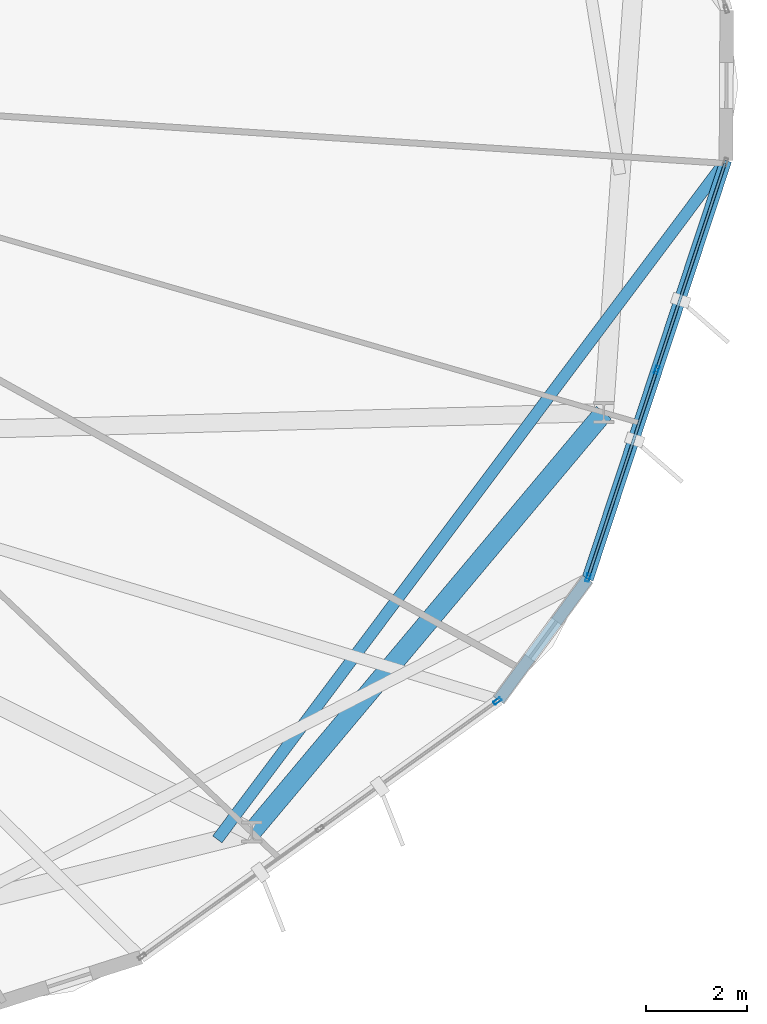
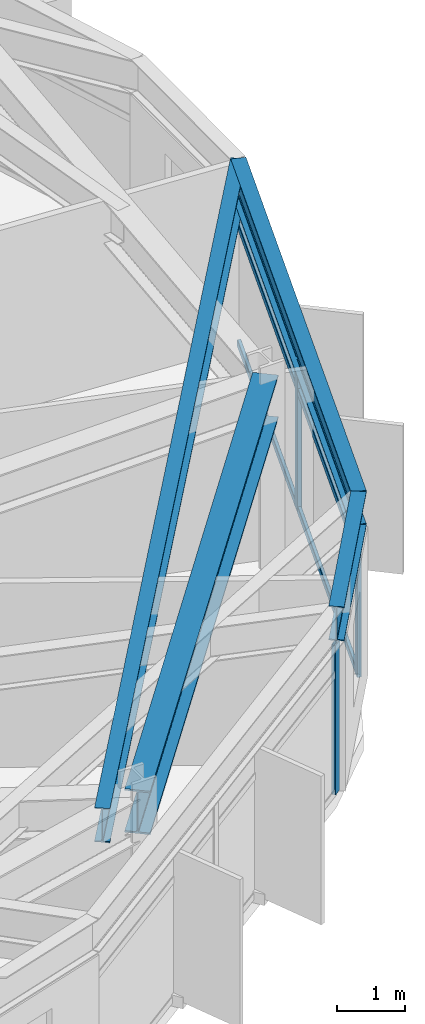
# One storey, part 8 of 24: 9 members, 4 beams, 2 elements without a shape of their own.
"""IFC4 building model written with IfcOpenShell, lengths in metres."""

from ifc_helpers import new_model, si_unit, direction, frame, origin, origin_2d, place, context, subcontext, project, spatial, hollow_rectangle, i_section, extrude, material, layer, layer_set, material_profile, profile_set, type_object, element, aggregate, save


model = new_model("IFC4")

# Units and contexts
model_context = context("Model", 3, precision=1e-05, world=origin(), true_north=direction((0.0, 1.0)))
body_context = subcontext(model_context, "Body", "Model", "MODEL_VIEW")
ifc_project = project(units=[si_unit("LENGTHUNIT", "METRE"), si_unit("AREAUNIT", "SQUARE_METRE"), si_unit("VOLUMEUNIT", "CUBIC_METRE"), si_unit("PLANEANGLEUNIT", "RADIAN"), si_unit("MASSUNIT", "GRAM", prefix="KILO")], contexts=[model_context])

# Site, building, storey
site_placement = place(None, origin())
site = spatial("IfcSite", under=ifc_project, at=site_placement, CompositionType="ELEMENT")
building_placement = place(site_placement, origin())
building = spatial("IfcBuilding", under=site, at=building_placement, Name="Soratama Intermodal Tower", CompositionType="ELEMENT")
storey_placement = place(building_placement, frame((0.0, 0.0, 164.199951171875)))
storey = spatial("IfcBuildingStorey", under=building, at=storey_placement, Name="L40", CompositionType="ELEMENT", Elevation=164.199951171875)

# Beams
ifc_material_1 = material(Name="Structural steel ASTM A992 Grade 50", Category="steel")
ifc_material_profile_1 = material_profile(ifc_material_1, i_section(OverallWidth=0.382080078125, OverallDepth=0.779052734375, WebThickness=0.01806640625, FlangeThickness=0.030029296875, FilletRadius=0.01806640625, at=origin_2d()), Name="W30X191")
ifc_profile_set_1 = profile_set([ifc_material_profile_1], Name="Structural steel ASTM A992 Grade 50")
beam_type_1 = type_object("IfcBeamType", Name="BM-RING-W30X191", PredefinedType="BEAM", material=ifc_profile_set_1)
beam_1_placement = place(storey_placement, frame((54.27392578125, 10.158935546875, 2.91064453125), z_axis=(0.642791781199, 0.766040942785, 0.0), x_axis=(-0.766040942785, 0.642791781199, 0.0)))
element("IfcBeam", 1, at=beam_1_placement, inside=storey, type_object=beam_type_1, Name="BM-L40-RING-09", PredefinedType="BEAM", context=body_context, shape_type="SweptSolid", body=[
    extrude(i_section(OverallWidth=0.382080078125, OverallDepth=0.779052734375, WebThickness=0.01806640625, FlangeThickness=0.030029296875, FilletRadius=0.01806640625, at=origin_2d()), origin(), (0.0, 0.0, 1.0), 10.815673828125),
])
ifc_material_2 = material(Name="Structural steel ASTM A992 Grade 50", Category="steel")
ifc_material_profile_2 = material_profile(ifc_material_2, i_section(OverallWidth=0.22900390625, OverallDepth=0.612060546875, WebThickness=0.011962890625, FlangeThickness=0.01953125, FilletRadius=0.012939453125, at=origin_2d()), Name="W24X84")
ifc_profile_set_2 = profile_set([ifc_material_profile_2], Name="Structural steel ASTM A992 Grade 50")
beam_type_2 = type_object("IfcBeamType", Name="BM-SPN-W24X84", PredefinedType="SPANDREL", material=ifc_profile_set_2)
beam_2_placement = place(storey_placement, frame((59.14990234375, 12.76611328125, 2.994140625), z_axis=(0.592134259698, 0.805839325481, 0.0), x_axis=(-0.805839325481, 0.592134259698, 0.0)))
element("IfcBeam", 2, at=beam_2_placement, inside=storey, type_object=beam_type_2, Name="BS-L40-CRN08", PredefinedType="SPANDREL", context=body_context, shape_type="SweptSolid", body=[
    extrude(i_section(OverallWidth=0.22900390625, OverallDepth=0.612060546875, WebThickness=0.011962890625, FlangeThickness=0.01953125, FilletRadius=0.012939453125, at=origin_2d()), origin(), (0.0, 0.0, 1.0), 2.9658203125),
])
beam_3_placement = place(storey_placement, frame((60.906005859375, 15.156005859375, 2.994140625), z_axis=(0.313912457029, 0.949451931022, 0.0), x_axis=(-0.949451931022, 0.313912457029, 0.0)))
element("IfcBeam", 3, at=beam_3_placement, inside=storey, type_object=beam_type_2, Name="BS-L40-F09", PredefinedType="SPANDREL", context=body_context, shape_type="SweptSolid", body=[
    extrude(i_section(OverallWidth=0.22900390625, OverallDepth=0.612060546875, WebThickness=0.011962890625, FlangeThickness=0.01953125, FilletRadius=0.012939453125, at=origin_2d()), origin(), (0.0, 0.0, 1.0), 8.702880859375),
])
ifc_material_3 = material(Name="Structural steel ASTM A992 Grade 50", Category="steel")
ifc_material_profile_3 = material_profile(ifc_material_3, i_section(OverallWidth=0.22900390625, OverallDepth=0.612060546875, WebThickness=0.011962890625, FlangeThickness=0.01953125, FilletRadius=0.012939453125, at=origin_2d()), Name="W24X84")
ifc_profile_set_3 = profile_set([ifc_material_profile_3], Name="Structural steel ASTM A992 Grade 50")
beam_type_3 = type_object("IfcBeamType", Name="BM-TIE-W24X84", PredefinedType="BEAM", material=ifc_profile_set_3)
beam_4_placement = place(storey_placement, frame((53.593994140625, 10.01611328125, 2.994140625), z_axis=(0.599687428731, 0.800234333069, 0.0), x_axis=(-0.800234333069, 0.599687428731, 0.0)))
element("IfcBeam", 4, at=beam_4_placement, inside=storey, type_object=beam_type_3, Name="BM-L40-TIE1-09", PredefinedType="BEAM", context=body_context, shape_type="SweptSolid", body=[
    extrude(i_section(OverallWidth=0.22900390625, OverallDepth=0.612060546875, WebThickness=0.011962890625, FlangeThickness=0.01953125, FilletRadius=0.012939453125, at=origin_2d()), origin(), (0.0, 0.0, 1.0), 16.74853515625),
])

# Curtain wall, member
ifc_material_4 = material(Name="Double-glazed aluminium curtain wall", Category="aluminium")
ifc_layer = layer(ifc_material_4, 0.159912109375)
ifc_layer_set = layer_set([ifc_layer], Name="Double-glazed aluminium curtain wall")
curtain_wall_type = type_object("IfcCurtainWallType", Name="CW-SYS-4", PredefinedType="NOTDEFINED", material=ifc_layer_set)
curtain_wall_1_placement = place(storey_placement, origin())
curtain_wall_1 = element("IfcCurtainWall", 5, at=curtain_wall_1_placement, inside=storey, type_object=curtain_wall_type, Name="L40 Faceted Curtain Wall F08", PredefinedType="NOTDEFINED")
ifc_material_5 = material(Name="Anodised aluminium AA 6063-T6", Category="aluminium")
ifc_material_profile_4 = material_profile(ifc_material_5, hollow_rectangle(XDim=0.070068359375, YDim=0.159912109375, WallThickness=0.0048828125, InnerFilletRadius=0.0048828125, OuterFilletRadius=0.010009765625, at=origin_2d()), Name="CWM160X70X5")
ifc_profile_set_4 = profile_set([ifc_material_profile_4], Name="Anodised aluminium AA 6063-T6")
member_type_1 = type_object("IfcMemberType", Name="MT-CWM-4", PredefinedType="MULLION", material=ifc_profile_set_4)
member_1_placement = place(storey_placement, frame((59.125244140625, 12.748291015625, 0.0), z_axis=(0.0, 0.0, 1.0), x_axis=(-0.583543467681, 0.812081905553, 0.0)))
member_1 = element("IfcMember", 6, at=member_1_placement, type_object=member_type_1, Name="CW-4 mullion 3", PredefinedType="MULLION", context=body_context, shape_type="SweptSolid", body=[
    extrude(hollow_rectangle(XDim=0.070068359375, YDim=0.159912109375, WallThickness=0.0048828125, InnerFilletRadius=0.0048828125, OuterFilletRadius=0.010009765625, at=origin_2d()), origin(), (0.0, 0.0, 1.0), 2.678955078125),
])
aggregate(curtain_wall_1, [member_1])

# Curtain wall, members
curtain_wall_2_placement = place(storey_placement, origin())
curtain_wall_2 = element("IfcCurtainWall", 7, at=curtain_wall_2_placement, inside=storey, type_object=curtain_wall_type, Name="L40 Faceted Curtain Wall F09", PredefinedType="NOTDEFINED")
member_2_placement = place(storey_placement, frame((60.9150390625, 15.18505859375, 0.0), z_axis=(0.0, 0.0, 1.0), x_axis=(-0.949425261398, 0.313993109827, 0.0)))
member_2 = element("IfcMember", 8, at=member_2_placement, type_object=member_type_1, Name="CW-4 mullion 1", PredefinedType="MULLION", context=body_context, shape_type="SweptSolid", body=[
    extrude(hollow_rectangle(XDim=0.070068359375, YDim=0.159912109375, WallThickness=0.0048828125, InnerFilletRadius=0.0048828125, OuterFilletRadius=0.010009765625, at=origin_2d()), origin(), (0.0, 0.0, 1.0), 2.678955078125),
])
member_3_placement = place(storey_placement, frame((62.27197265625, 19.287841796875, 0.0), z_axis=(0.0, 0.0, 1.0), x_axis=(-0.949425261398, 0.313993109827, 0.0)))
member_3 = element("IfcMember", 9, at=member_3_placement, type_object=member_type_1, Name="CW-4 mullion 2", PredefinedType="MULLION", context=body_context, shape_type="SweptSolid", body=[
    extrude(hollow_rectangle(XDim=0.070068359375, YDim=0.159912109375, WallThickness=0.0048828125, InnerFilletRadius=0.0048828125, OuterFilletRadius=0.010009765625, at=origin_2d()), origin(), (0.0, 0.0, 1.0), 2.678955078125),
])
ifc_material_6 = material(Name="Anodised aluminium AA 6063-T6", Category="aluminium")
ifc_material_profile_5 = material_profile(ifc_material_6, hollow_rectangle(XDim=0.06005859375, YDim=0.1298828125, WallThickness=0.0048828125, InnerFilletRadius=0.0048828125, OuterFilletRadius=0.010009765625, at=origin_2d()), Name="CWT130X60X5")
ifc_profile_set_5 = profile_set([ifc_material_profile_5], Name="Anodised aluminium AA 6063-T6")
member_type_2 = type_object("IfcMemberType", Name="TT-CWT-2", PredefinedType="USERDEFINED", material=ifc_profile_set_5)
member_4_placement = place(storey_placement, frame((60.924560546875, 15.21337890625, 0.030029296875), z_axis=(0.314009756346, 0.949419755914, 0.0), x_axis=(-0.949419755914, 0.314009756346, 0.0)))
member_4 = element("IfcMember", 10, at=member_4_placement, type_object=member_type_2, Name="CW-4 transom 1.1", ObjectType="TRANSOM", PredefinedType="USERDEFINED", context=body_context, shape_type="SweptSolid", body=[
    extrude(hollow_rectangle(XDim=0.06005859375, YDim=0.1298828125, WallThickness=0.0048828125, InnerFilletRadius=0.0048828125, OuterFilletRadius=0.010009765625, at=origin_2d()), origin(), (0.0, 0.0, 1.0), 4.261474609375),
])
member_5_placement = place(storey_placement, frame((60.924560546875, 15.21337890625, 2.150146484375), z_axis=(0.314009756346, 0.949419755914, 0.0), x_axis=(-0.949419755914, 0.314009756346, 0.0)))
member_5 = element("IfcMember", 11, at=member_5_placement, type_object=member_type_2, Name="CW-4 transom 1.2", ObjectType="TRANSOM", PredefinedType="USERDEFINED", context=body_context, shape_type="SweptSolid", body=[
    extrude(hollow_rectangle(XDim=0.06005859375, YDim=0.1298828125, WallThickness=0.0048828125, InnerFilletRadius=0.0048828125, OuterFilletRadius=0.010009765625, at=origin_2d()), origin(), (0.0, 0.0, 1.0), 4.261474609375),
])
member_6_placement = place(storey_placement, frame((60.924560546875, 15.21337890625, 2.649169921875), z_axis=(0.314009756346, 0.949419755914, 0.0), x_axis=(-0.949419755914, 0.314009756346, 0.0)))
member_6 = element("IfcMember", 12, at=member_6_placement, type_object=member_type_2, Name="CW-4 transom 1.3", ObjectType="TRANSOM", PredefinedType="USERDEFINED", context=body_context, shape_type="SweptSolid", body=[
    extrude(hollow_rectangle(XDim=0.06005859375, YDim=0.1298828125, WallThickness=0.0048828125, InnerFilletRadius=0.0048828125, OuterFilletRadius=0.010009765625, at=origin_2d()), origin(), (0.0, 0.0, 1.0), 4.261474609375),
])
member_7_placement = place(storey_placement, frame((62.281494140625, 19.316162109375, 0.030029296875), z_axis=(0.313958113331, 0.949436834694, 0.0), x_axis=(-0.949436834694, 0.313958113331, 0.0)))
member_7 = element("IfcMember", 13, at=member_7_placement, type_object=member_type_2, Name="CW-4 transom 2.1", ObjectType="TRANSOM", PredefinedType="USERDEFINED", context=body_context, shape_type="SweptSolid", body=[
    extrude(hollow_rectangle(XDim=0.06005859375, YDim=0.1298828125, WallThickness=0.0048828125, InnerFilletRadius=0.0048828125, OuterFilletRadius=0.010009765625, at=origin_2d()), origin(), (0.0, 0.0, 1.0), 4.261474609375),
])
member_8_placement = place(storey_placement, frame((62.281494140625, 19.316162109375, 2.150146484375), z_axis=(0.313958113331, 0.949436834694, 0.0), x_axis=(-0.949436834694, 0.313958113331, 0.0)))
member_8 = element("IfcMember", 14, at=member_8_placement, type_object=member_type_2, Name="CW-4 transom 2.2", ObjectType="TRANSOM", PredefinedType="USERDEFINED", context=body_context, shape_type="SweptSolid", body=[
    extrude(hollow_rectangle(XDim=0.06005859375, YDim=0.1298828125, WallThickness=0.0048828125, InnerFilletRadius=0.0048828125, OuterFilletRadius=0.010009765625, at=origin_2d()), origin(), (0.0, 0.0, 1.0), 4.261474609375),
])
member_9_placement = place(storey_placement, frame((62.281494140625, 19.316162109375, 2.649169921875), z_axis=(0.313958113331, 0.949436834694, 0.0), x_axis=(-0.949436834694, 0.313958113331, 0.0)))
member_9 = element("IfcMember", 15, at=member_9_placement, type_object=member_type_2, Name="CW-4 transom 2.3", ObjectType="TRANSOM", PredefinedType="USERDEFINED", context=body_context, shape_type="SweptSolid", body=[
    extrude(hollow_rectangle(XDim=0.06005859375, YDim=0.1298828125, WallThickness=0.0048828125, InnerFilletRadius=0.0048828125, OuterFilletRadius=0.010009765625, at=origin_2d()), origin(), (0.0, 0.0, 1.0), 4.261474609375),
])
aggregate(curtain_wall_2, [member_2, member_3, member_4, member_5, member_6, member_7, member_8, member_9])

save(model, "model.ifc")
